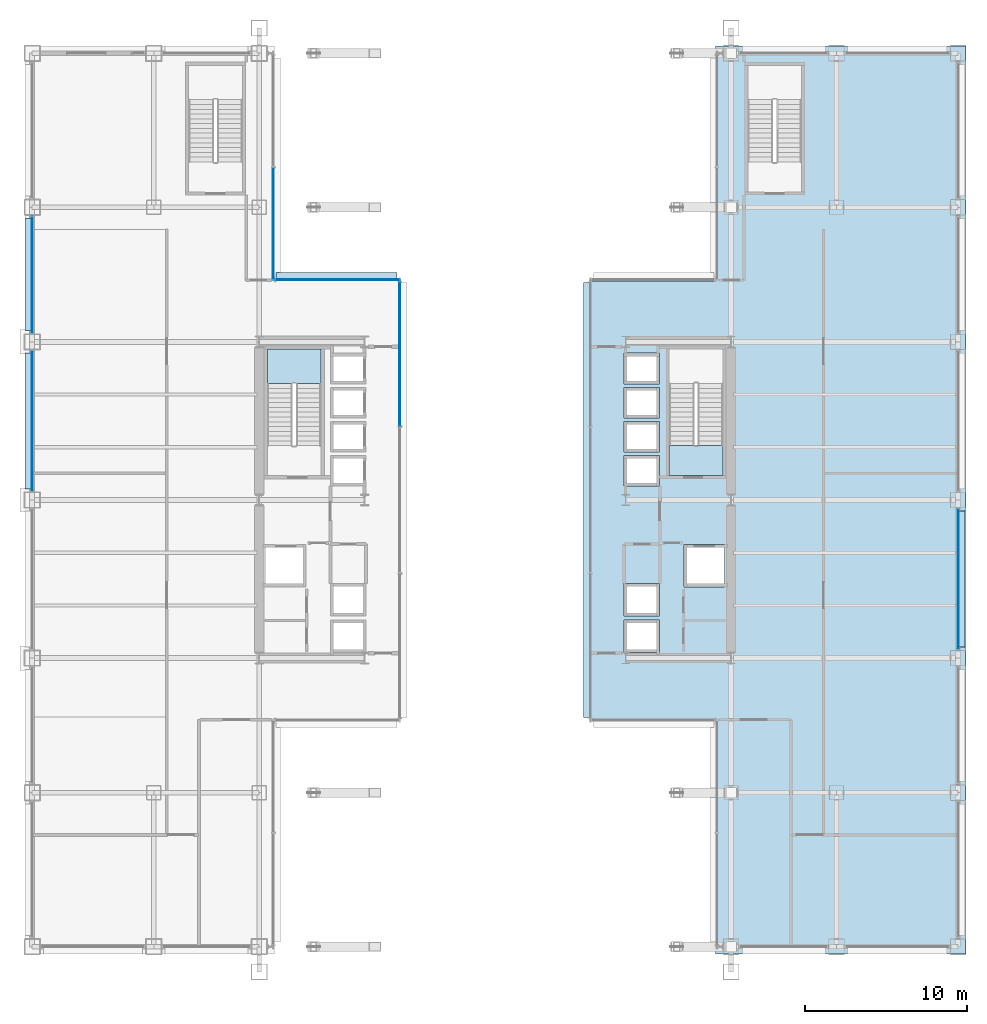
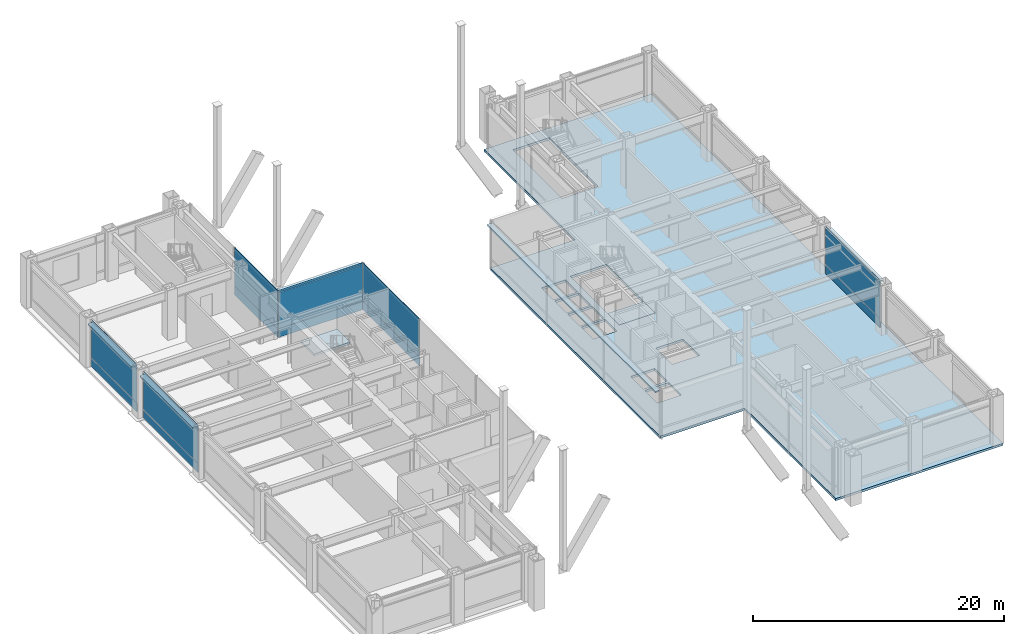
# One storey, part 30 of 40: 17 plates, 3 slabs, 7 elements without a shape of their own.
"""IFC4 building model written with IfcOpenShell, lengths in metres."""

import ifcopenshell
import ifcopenshell.guid

model = None  # the IFC model being written
_history = None  # IfcOwnerHistory: only IFC2X3 demands one
_inside = {}  # id of a spatial element -> (the spatial element, [elements in it])
_under = {}  # id of a project, library or spatial element -> (it, [spatial elements below it])
_declared = {}  # id of a project -> (the project, [libraries it declares])
_typed = {}  # id of a type object -> (the type object, [elements of that type])
_made_of = {}  # id of a material, layer set ... -> (it, [elements and type objects made of it])


def new_model(schema):
    """Start an empty IFC model of exactly this schema.

    Asked for "IFC4X3", IfcOpenShell would pick the latest addendum, in which some entities
    have other attributes; the version numbers below select the first issue.
    IFC2X3 requires an IfcOwnerHistory on every rooted entity: one is made here for all.
    """
    global model, _history
    if schema == "IFC4X3":
        model = ifcopenshell.file(schema_version=(4, 3, 0, 0))
    else:
        model = ifcopenshell.file(schema=schema)
    _inside.clear()
    _under.clear()
    _declared.clear()
    _typed.clear()
    _made_of.clear()
    _history = None
    if model.schema == "IFC2X3":
        org = make("IfcOrganization", Name="unknown")
        user = make(
            "IfcPersonAndOrganization",
            ThePerson=make("IfcPerson", FamilyName="unknown"),
            TheOrganization=org,
        )
        app = make(
            "IfcApplication",
            ApplicationDeveloper=org,
            Version="unknown",
            ApplicationFullName="unknown",
            ApplicationIdentifier="unknown",
        )
        _history = make(
            "IfcOwnerHistory",
            OwningUser=user,
            OwningApplication=app,
            ChangeAction="ADDED",
            CreationDate=0,
        )
    return model


def make(cls, **values):
    """One entity of the class cls with the attributes given. An attribute that is None is left unset."""
    return model.create_entity(
        cls, **{name: value for name, value in values.items() if value is not None}
    )


def rooted(cls, **values):
    """An entity with a GlobalId (a new one), such as an element, a storey or a relation."""
    return make(cls, GlobalId=ifcopenshell.guid.new(), OwnerHistory=_history, **values)


def si_unit(unit_type, name, prefix=None):
    """IfcSIUnit, for example si_unit("LENGTHUNIT", "METRE", prefix="MILLI")."""
    return make("IfcSIUnit", UnitType=unit_type, Prefix=prefix, Name=name)


def assignment(units):
    """IfcUnitAssignment: the units of a project."""
    return None if units is None else make("IfcUnitAssignment", Units=units)


def point(xyz):
    """IfcCartesianPoint."""
    return None if xyz is None else make("IfcCartesianPoint", Coordinates=xyz)


def direction(xyz):
    """IfcDirection."""
    return None if xyz is None else make("IfcDirection", DirectionRatios=xyz)


def frame(location, z_axis=None, x_axis=None):
    """IfcAxis2Placement3D, a coordinate frame: its origin and axes. An axis left out is left unset."""
    return make(
        "IfcAxis2Placement3D",
        Location=point(location),
        Axis=direction(z_axis),
        RefDirection=direction(x_axis),
    )


def frame_2d(location, x_axis=None):
    """IfcAxis2Placement2D, a coordinate frame in the plane: its origin and x axis."""
    return make(
        "IfcAxis2Placement2D", Location=point(location), RefDirection=direction(x_axis)
    )


def origin():
    """The frame at (0, 0, 0) with its axes left unset."""
    return frame((0.0, 0.0, 0.0))


def origin_2d():
    """The frame at (0, 0) in the plane with its x axis left unset."""
    return frame_2d((0.0, 0.0))


def place(relative_to, where):
    """IfcLocalPlacement: puts the frame where relative to a parent placement (None: the world)."""
    return make(
        "IfcLocalPlacement", PlacementRelTo=relative_to, RelativePlacement=where
    )


def context(
    kind, dimensions, precision=None, world=None, true_north=None, identifier=None
):
    """IfcGeometricRepresentationContext, for example the 3D "Model" context."""
    return make(
        "IfcGeometricRepresentationContext",
        ContextIdentifier=identifier,
        ContextType=kind,
        CoordinateSpaceDimension=dimensions,
        Precision=precision,
        WorldCoordinateSystem=world,
        TrueNorth=true_north,
    )


def subcontext(parent, identifier, kind, view, scale=None):
    """IfcGeometricRepresentationSubContext, for example "Body" below "Model"."""
    return make(
        "IfcGeometricRepresentationSubContext",
        ContextIdentifier=identifier,
        ContextType=kind,
        ParentContext=parent,
        TargetScale=scale,
        TargetView=view,
    )


def project(units=None, contexts=None):
    """IfcProject with its units and contexts."""
    return rooted(
        "IfcProject",
        Name="project",
        RepresentationContexts=contexts,
        UnitsInContext=assignment(units),
    )


def spatial(cls, under=None, at=None, **own):
    """A site, building, storey or space (cls), placed at a placement, below another one or the project."""
    s = rooted(cls, ObjectPlacement=at, **own)
    if under is not None:
        _under.setdefault(under.id(), (under, []))[1].append(s)
    return s


def polyline(points):
    """IfcPolyline through the points."""
    return make("IfcPolyline", Points=[point(p) for p in points])


def profile(cls, at=None, kind="AREA", **sizes):
    """A parametric profile (cls). Its sizes go by their IFC names, for example OverallWidth=200.0."""
    return make(cls, ProfileType=kind, Position=at, **sizes)


def rectangle(**sizes):
    """IfcRectangleProfileDef."""
    return profile("IfcRectangleProfileDef", **sizes)


def outline(outer, holes=None, kind="AREA"):
    """IfcArbitraryClosedProfileDef: a profile drawn as a closed curve; with holes, ...WithVoids."""
    if holes is None:
        return make("IfcArbitraryClosedProfileDef", ProfileType=kind, OuterCurve=outer)
    return make(
        "IfcArbitraryProfileDefWithVoids",
        ProfileType=kind,
        OuterCurve=outer,
        InnerCurves=holes,
    )


def extrude(swept, where, along, depth):
    """IfcExtrudedAreaSolid: the profile swept, set in the frame where, extruded along a direction by depth."""
    return make(
        "IfcExtrudedAreaSolid",
        SweptArea=swept,
        Position=where,
        ExtrudedDirection=direction(along),
        Depth=depth,
    )


def shape(context_of_items, identifier, shape_type, items):
    """IfcShapeRepresentation: the items that make up one representation, for example the "Body"."""
    return make(
        "IfcShapeRepresentation",
        ContextOfItems=context_of_items,
        RepresentationIdentifier=identifier,
        RepresentationType=shape_type,
        Items=items,
    )


def material(Name=None, Category=None):
    """IfcMaterial."""
    return make("IfcMaterial", Name=Name, Category=Category)


def layer(
    of_material, thickness, ventilated=None, Name=None, Category=None, Priority=None
):
    """IfcMaterialLayer: one layer of a wall or slab, of a material (None: an air gap)."""
    return make(
        "IfcMaterialLayer",
        Material=of_material,
        LayerThickness=thickness,
        IsVentilated=ventilated,
        Name=Name,
        Category=Category,
        Priority=Priority,
    )


def layer_set(layers, Name=None):
    """IfcMaterialLayerSet."""
    return make("IfcMaterialLayerSet", MaterialLayers=layers, LayerSetName=Name)


def made_of(thing, what):
    """Note that an element or type object is made of a material, layer set ...; save() writes the relation."""
    if what is not None:
        _made_of.setdefault(what.id(), (what, []))[1].append(thing)
    return thing


def type_object(cls, material=None, **own):
    """A type object (cls), such as IfcWallType, which elements share."""
    return made_of(rooted(cls, **own), material)


def element(
    cls,
    number,
    at=None,
    inside=None,
    cuts=None,
    type_object=None,
    material=None,
    context=None,
    identifier="Body",
    shape_type=None,
    held_by="IfcProductDefinitionShape",
    body=None,
    shapes=None,
    **own,
):
    """One element of the class cls, such as IfcWall. Its Tag is "e" and its number.

    at: its placement. inside: the storey or other place that contains it. cuts: it is an
    opening in that element (IfcRelVoidsElement). A single representation is given by context,
    identifier, shape_type and body (its items); several are given by shapes. held_by: the class
    of the entity that holds the representations. save() writes the other relations.
    """
    e = rooted(cls, Tag="e%d" % number, ObjectPlacement=at, **own)
    if body is not None:
        shapes = [shape(context, identifier, shape_type, body)]
    if shapes is not None:
        e.Representation = make(held_by, Representations=shapes)
    if inside is not None:
        _inside.setdefault(inside.id(), (inside, []))[1].append(e)
    if cuts is not None:
        rooted(
            "IfcRelVoidsElement", RelatingBuildingElement=cuts, RelatedOpeningElement=e
        )
    if type_object is not None:
        _typed.setdefault(type_object.id(), (type_object, []))[1].append(e)
    return made_of(e, material)


def aggregate(whole, parts):
    """IfcRelAggregates: a whole, such as a stair, and the parts it consists of."""
    return rooted("IfcRelAggregates", RelatingObject=whole, RelatedObjects=parts)


def save(model, path):
    """Write the relations noted so far, then the file.

    IfcRelAggregates (storeys below a building ...), IfcRelContainedInSpatialStructure (elements
    in a storey), IfcRelDefinesByType, IfcRelAssociatesMaterial and IfcRelDeclares: one each for
    every whole, place, type object, material and project.
    """
    for whole, parts in _under.values():
        aggregate(whole, parts)
    for where, things in _inside.values():
        rooted(
            "IfcRelContainedInSpatialStructure",
            RelatedElements=things,
            RelatingStructure=where,
        )
    for kind, things in _typed.values():
        rooted("IfcRelDefinesByType", RelatedObjects=things, RelatingType=kind)
    for what, things in _made_of.values():
        rooted("IfcRelAssociatesMaterial", RelatedObjects=things, RelatingMaterial=what)
    for by, libraries in _declared.values():
        rooted("IfcRelDeclares", RelatingContext=by, RelatedDefinitions=libraries)
    model.write(path)


model = new_model("IFC4")

# Units and contexts
model_context = context("Model", 3, precision=1e-05, world=origin(), true_north=direction((0.0, 1.0)))
body_context = subcontext(model_context, "Body", "Model", "MODEL_VIEW")
ifc_project = project(units=[si_unit("LENGTHUNIT", "METRE"), si_unit("AREAUNIT", "SQUARE_METRE"), si_unit("VOLUMEUNIT", "CUBIC_METRE"), si_unit("PLANEANGLEUNIT", "RADIAN"), si_unit("MASSUNIT", "GRAM", prefix="KILO")], contexts=[model_context])

# Site, building, storey
site_placement = place(None, origin())
site = spatial("IfcSite", under=ifc_project, at=site_placement, CompositionType="ELEMENT")
building_placement = place(site_placement, origin())
building = spatial("IfcBuilding", under=site, at=building_placement, Name="Brelmoor Portico Tower", CompositionType="ELEMENT")
storey_placement = place(building_placement, frame((0.0, 0.0, 4.800048828125)))
storey = spatial("IfcBuildingStorey", under=building, at=storey_placement, Name="L01", CompositionType="ELEMENT", Elevation=4.800048828125)

# Curtain wall, plate
ifc_material_1 = material(Name="Anodised Aluminium Alloy 6063-T6", Category="aluminium")
ifc_layer_1 = layer(ifc_material_1, 0.179931640625)
ifc_layer_set_1 = layer_set([ifc_layer_1], Name="Anodised Aluminium Alloy 6063-T6")
curtain_wall_type = type_object("IfcCurtainWallType", Name="CW-PODIUM-ARCH", PredefinedType="NOTDEFINED", material=ifc_layer_set_1)
curtain_wall_1_placement = place(storey_placement, origin())
curtain_wall_1 = element("IfcCurtainWall", 1, at=curtain_wall_1_placement, inside=storey, type_object=curtain_wall_type, Name="L01 Curtain Wall CW-L01-05-4", PredefinedType="NOTDEFINED")
ifc_material_2 = material(Name="Double-Silver Low-E Insulated Glazing", Category="glass")
ifc_layer_2 = layer(ifc_material_2, 0.035888671875)
ifc_layer_set_2 = layer_set([ifc_layer_2], Name="Double-Silver Low-E Insulated Glazing")
plate_type_1 = type_object("IfcPlateType", Name="PT-CW-GLASS", PredefinedType="CURTAIN_PANEL", material=ifc_layer_set_2)
plate_1_placement = place(storey_placement, frame((-28.550048828125, 4.875, 0.849853515625), z_axis=(0.0, 0.0, 1.0), x_axis=(0.0, 1.0, 0.0)))
plate_1 = element("IfcPlate", 2, at=plate_1_placement, type_object=plate_type_1, Name="CW-L01-05-4 Vision Glass Panel 00", PredefinedType="CURTAIN_PANEL", context=body_context, shape_type="SweptSolid", body=[
    extrude(rectangle(XDim=8.699951171875, YDim=0.035888671875, at=origin_2d()), origin(), (0.0, 0.0, 1.0), 3.72998046875),
])

curtain_wall_2_placement = place(storey_placement, origin())
curtain_wall_2 = element("IfcCurtainWall", 3, at=curtain_wall_2_placement, inside=storey, type_object=curtain_wall_type, Name="L01 Curtain Wall CW-L01-05-5", PredefinedType="NOTDEFINED")
plate_2_placement = place(storey_placement, frame((-28.550048828125, 13.89990234375, 0.849853515625), z_axis=(0.0, 0.0, 1.0), x_axis=(0.0, 1.0, 0.0)))
plate_2 = element("IfcPlate", 4, at=plate_2_placement, type_object=plate_type_1, Name="CW-L01-05-5 Vision Glass Panel 00", PredefinedType="CURTAIN_PANEL", context=body_context, shape_type="SweptSolid", body=[
    extrude(rectangle(XDim=7.25, YDim=0.035888671875, at=origin_2d()), origin(), (0.0, 0.0, 1.0), 3.72998046875),
])

curtain_wall_3_placement = place(storey_placement, origin())
curtain_wall_3 = element("IfcCurtainWall", 5, at=curtain_wall_3_placement, inside=storey, type_object=curtain_wall_type, Name="L01 Curtain Wall CW-L01-06-3", PredefinedType="NOTDEFINED")
plate_3_placement = place(storey_placement, frame((28.550048828125, -4.875, 0.849853515625), z_axis=(0.0, 0.0, 1.0), x_axis=(0.0, 1.0, 0.0)))
plate_3 = element("IfcPlate", 6, at=plate_3_placement, type_object=plate_type_1, Name="CW-L01-06-3 Vision Glass Panel 00", PredefinedType="CURTAIN_PANEL", context=body_context, shape_type="SweptSolid", body=[
    extrude(rectangle(XDim=8.699951171875, YDim=0.035888671875, at=origin_2d()), origin(), (0.0, 0.0, 1.0), 3.72998046875),
])

curtain_wall_4_placement = place(storey_placement, origin())
curtain_wall_4 = element("IfcCurtainWall", 7, at=curtain_wall_4_placement, inside=storey, type_object=curtain_wall_type, Name="L01 Curtain Wall CW-L01-09", PredefinedType="NOTDEFINED")
plate_4_placement = place(storey_placement, frame((-13.679931640625, 17.047607421875, 0.849853515625), z_axis=(0.0, 0.0, 1.0), x_axis=(0.0, 1.0, 0.0)))
plate_4 = element("IfcPlate", 8, at=plate_4_placement, type_object=plate_type_1, Name="CW-L01-09 Vision Glass Panel 00", PredefinedType="CURTAIN_PANEL", context=body_context, shape_type="SweptSolid", body=[
    extrude(rectangle(XDim=6.905029296875, YDim=0.035888671875, at=origin_2d()), origin(), (0.0, 0.0, 1.0), 3.72998046875),
])

curtain_wall_5_placement = place(storey_placement, origin())
curtain_wall_5 = element("IfcCurtainWall", 9, at=curtain_wall_5_placement, inside=storey, type_object=curtain_wall_type, Name="L01 Curtain Wall CW-L01-13", PredefinedType="NOTDEFINED")
plate_5_placement = place(storey_placement, frame((-9.780029296875, 13.580078125, 0.849853515625), z_axis=(0.0, 0.0, 1.0), x_axis=(1.0, 0.0, 0.0)))
plate_5 = element("IfcPlate", 10, at=plate_5_placement, type_object=plate_type_1, Name="CW-L01-13 Vision Glass Panel 00", PredefinedType="CURTAIN_PANEL", context=body_context, shape_type="SweptSolid", body=[
    extrude(rectangle(XDim=7.77001953125, YDim=0.035888671875, at=origin_2d()), origin(), (0.0, 0.0, 1.0), 3.72998046875),
])

curtain_wall_6_placement = place(storey_placement, origin())
curtain_wall_6 = element("IfcCurtainWall", 11, at=curtain_wall_6_placement, inside=storey, type_object=curtain_wall_type, Name="L01 Curtain Wall CW-L01-15", PredefinedType="NOTDEFINED")
plate_6_placement = place(storey_placement, frame((-5.8798828125, 9.05322265625, 0.849853515625), z_axis=(0.0, 0.0, 1.0), x_axis=(0.0, 1.0, 0.0)))
plate_6 = element("IfcPlate", 12, at=plate_6_placement, type_object=plate_type_1, Name="CW-L01-15 Vision Glass Panel 02", PredefinedType="CURTAIN_PANEL", context=body_context, shape_type="SweptSolid", body=[
    extrude(rectangle(XDim=9.023193359375, YDim=0.035888671875, at=origin_2d()), origin(), (0.0, 0.0, 1.0), 3.72998046875),
])

# Plate
ifc_material_3 = material(Name="Pale Champagne Anodised Aluminium Panel", Category="aluminium")
ifc_layer_3 = layer(ifc_material_3, 0.050048828125)
ifc_layer_set_3 = layer_set([ifc_layer_3], Name="Pale Champagne Anodised Aluminium Panel")
plate_type_2 = type_object("IfcPlateType", Name="PT-CW-SPANDREL", PredefinedType="SHEET", material=ifc_layer_set_3)
plate_7_placement = place(storey_placement, frame((-28.550048828125, 4.875, 0.0), z_axis=(0.0, 0.0, 1.0), x_axis=(0.0, 1.0, 0.0)))
plate_7 = element("IfcPlate", 13, at=plate_7_placement, type_object=plate_type_2, Name="CW-L01-05-4 Spandrel Panel 00", PredefinedType="SHEET", context=body_context, shape_type="SweptSolid", body=[
    extrude(rectangle(XDim=8.699951171875, YDim=0.050048828125, at=origin_2d()), origin(), (0.0, 0.0, 1.0), 0.85009765625),
])

aggregate(curtain_wall_1, [plate_7, plate_1])

plate_8_placement = place(storey_placement, frame((-28.550048828125, 13.89990234375, 0.0), z_axis=(0.0, 0.0, 1.0), x_axis=(0.0, 1.0, 0.0)))
plate_8 = element("IfcPlate", 14, at=plate_8_placement, type_object=plate_type_2, Name="CW-L01-05-5 Spandrel Panel 00", PredefinedType="SHEET", context=body_context, shape_type="SweptSolid", body=[
    extrude(rectangle(XDim=7.25, YDim=0.050048828125, at=origin_2d()), origin(), (0.0, 0.0, 1.0), 0.85009765625),
])

aggregate(curtain_wall_2, [plate_8, plate_2])

plate_9_placement = place(storey_placement, frame((28.550048828125, -4.875, 0.0), z_axis=(0.0, 0.0, 1.0), x_axis=(0.0, 1.0, 0.0)))
plate_9 = element("IfcPlate", 15, at=plate_9_placement, type_object=plate_type_2, Name="CW-L01-06-3 Spandrel Panel 00", PredefinedType="SHEET", context=body_context, shape_type="SweptSolid", body=[
    extrude(rectangle(XDim=8.699951171875, YDim=0.050048828125, at=origin_2d()), origin(), (0.0, 0.0, 1.0), 0.85009765625),
])

aggregate(curtain_wall_3, [plate_9, plate_3])

plate_10_placement = place(storey_placement, frame((-13.679931640625, 17.047607421875, 0.0), z_axis=(0.0, 0.0, 1.0), x_axis=(0.0, 1.0, 0.0)))
plate_10 = element("IfcPlate", 16, at=plate_10_placement, type_object=plate_type_2, Name="CW-L01-09 Spandrel Panel 00", PredefinedType="SHEET", context=body_context, shape_type="SweptSolid", body=[
    extrude(rectangle(XDim=6.905029296875, YDim=0.050048828125, at=origin_2d()), origin(), (0.0, 0.0, 1.0), 0.85009765625),
])

aggregate(curtain_wall_4, [plate_10, plate_4])

plate_11_placement = place(storey_placement, frame((-9.780029296875, 13.580078125, 0.0), z_axis=(0.0, 0.0, 1.0), x_axis=(1.0, 0.0, 0.0)))
plate_11 = element("IfcPlate", 17, at=plate_11_placement, type_object=plate_type_2, Name="CW-L01-13 Spandrel Panel 00", PredefinedType="SHEET", context=body_context, shape_type="SweptSolid", body=[
    extrude(rectangle(XDim=7.77001953125, YDim=0.050048828125, at=origin_2d()), origin(), (0.0, 0.0, 1.0), 0.85009765625),
])

aggregate(curtain_wall_5, [plate_11, plate_5])

plate_12_placement = place(storey_placement, frame((-5.8798828125, 9.05322265625, 0.0), z_axis=(0.0, 0.0, 1.0), x_axis=(0.0, 1.0, 0.0)))
plate_12 = element("IfcPlate", 18, at=plate_12_placement, type_object=plate_type_2, Name="CW-L01-15 Spandrel Panel 02", PredefinedType="SHEET", context=body_context, shape_type="SweptSolid", body=[
    extrude(rectangle(XDim=9.023193359375, YDim=0.050048828125, at=origin_2d()), origin(), (0.0, 0.0, 1.0), 0.85009765625),
])

aggregate(curtain_wall_6, [plate_12, plate_6])

# Plates
ifc_material_4 = material(Name="Pale Champagne Perforated Aluminium Solar Screen", Category="aluminium")
ifc_layer_4 = layer(ifc_material_4, 0.054931640625)
ifc_layer_set_4 = layer_set([ifc_layer_4], Name="Pale Champagne Perforated Aluminium Solar Screen")
plate_type_3 = type_object("IfcPlateType", Name="PT-SOLAR-LOUVRE", PredefinedType="SHEET", material=ifc_layer_set_4)
plate_13_placement = place(storey_placement, frame((-28.760009765625, 4.875, 4.27001953125), z_axis=(0.0, 0.0, 1.0), x_axis=(0.0, 1.0, 0.0)))
element("IfcPlate", 19, at=plate_13_placement, inside=storey, type_object=plate_type_3, Name="CW-L01-05-4 Caribbean Brise-Soleil Solar Screen", PredefinedType="SHEET", context=body_context, shape_type="SweptSolid", body=[
    extrude(rectangle(XDim=8.3701171875, YDim=0.4599609375, at=origin_2d()), origin(), (0.0, 0.0, 1.0), 0.139892578125),
])
plate_14_placement = place(storey_placement, frame((-28.760009765625, 13.89990234375, 4.27001953125), z_axis=(0.0, 0.0, 1.0), x_axis=(0.0, 1.0, 0.0)))
element("IfcPlate", 20, at=plate_14_placement, inside=storey, type_object=plate_type_3, Name="CW-L01-05-5 Caribbean Brise-Soleil Solar Screen", PredefinedType="SHEET", context=body_context, shape_type="SweptSolid", body=[
    extrude(rectangle(XDim=6.919921875, YDim=0.4599609375, at=origin_2d()), origin(), (0.0, 0.0, 1.0), 0.139892578125),
])
plate_15_placement = place(storey_placement, frame((28.760009765625, -4.875, 4.27001953125), z_axis=(0.0, 0.0, 1.0), x_axis=(0.0, 1.0, 0.0)))
element("IfcPlate", 21, at=plate_15_placement, inside=storey, type_object=plate_type_3, Name="CW-L01-06-3 Caribbean Brise-Soleil Solar Screen", PredefinedType="SHEET", context=body_context, shape_type="SweptSolid", body=[
    extrude(rectangle(XDim=8.3701171875, YDim=0.4599609375, at=origin_2d()), origin(), (0.0, 0.0, 1.0), 0.139892578125),
])
plate_16_placement = place(storey_placement, frame((-9.780029296875, 13.7900390625, 4.27001953125), z_axis=(0.0, 0.0, 1.0), x_axis=(1.0, 0.0, 0.0)))
element("IfcPlate", 22, at=plate_16_placement, inside=storey, type_object=plate_type_3, Name="CW-L01-13 Caribbean Brise-Soleil Solar Screen", PredefinedType="SHEET", context=body_context, shape_type="SweptSolid", body=[
    extrude(rectangle(XDim=7.43994140625, YDim=0.4599609375, at=origin_2d()), origin(), (0.0, 0.0, 1.0), 0.139892578125),
])
plate_17_placement = place(storey_placement, frame((5.669921875, 0.0, 4.27001953125), z_axis=(0.0, 0.0, 1.0), x_axis=(0.0, 1.0, 0.0)))
element("IfcPlate", 23, at=plate_17_placement, inside=storey, type_object=plate_type_3, Name="CW-L01-16 Caribbean Brise-Soleil Solar Screen", PredefinedType="SHEET", context=body_context, shape_type="SweptSolid", body=[
    extrude(rectangle(XDim=26.800048828125, YDim=0.4599609375, at=origin_2d()), origin(), (0.0, 0.0, 1.0), 0.139892578125),
])

# Slab
ifc_material_5 = material(Name="Concrete C40", Category="concrete")
ifc_layer_5 = layer(ifc_material_5, 0.219970703125)
ifc_layer_set_5 = layer_set([ifc_layer_5], Name="Concrete C40")
slab_type_1 = type_object("IfcSlabType", Name="SL-FLOOR-220", PredefinedType="FLOOR", material=ifc_layer_set_5)
slab_1_placement = place(storey_placement, frame((0.0, 0.0, -0.219970703125)))
element("IfcSlab", 24, at=slab_1_placement, inside=storey, type_object=slab_type_1, Name="L01 East Pier Floor Slab", PredefinedType="FLOOR", context=body_context, shape_type="SweptSolid", body=[
    extrude(outline(polyline([(13.60009765625, -28.0), (29.0, -28.0), (29.0, 28.0), (13.60009765625, 28.0), (13.60009765625, 13.5), (5.800048828125, 13.5), (5.800048828125, -13.5), (13.60009765625, -13.5), (13.60009765625, -28.0)]), holes=[polyline([(14.050048828125, 1.5), (14.050048828125, 9.300048828125), (10.72998046875, 9.300048828125), (10.72998046875, 1.5), (14.050048828125, 1.5)]), polyline([(18.89990234375, 19.0), (18.89990234375, 26.800048828125), (15.580078125, 26.800048828125), (15.580078125, 19.0), (18.89990234375, 19.0)]), polyline([(7.949951171875, 0.85009765625), (10.14990234375, 0.85009765625), (10.14990234375, 2.75), (7.949951171875, 2.75), (7.949951171875, 0.85009765625)]), polyline([(7.949951171875, 2.949951171875), (10.14990234375, 2.949951171875), (10.14990234375, 4.85009765625), (7.949951171875, 4.85009765625), (7.949951171875, 2.949951171875)]), polyline([(7.949951171875, 5.050048828125), (10.14990234375, 5.050048828125), (10.14990234375, 6.949951171875), (7.949951171875, 6.949951171875), (7.949951171875, 5.050048828125)]), polyline([(7.949951171875, 7.14990234375), (10.14990234375, 7.14990234375), (10.14990234375, 9.050048828125), (7.949951171875, 9.050048828125), (7.949951171875, 7.14990234375)]), polyline([(7.949951171875, -9.39990234375), (10.14990234375, -9.39990234375), (10.14990234375, -7.39990234375), (7.949951171875, -7.39990234375), (7.949951171875, -9.39990234375)]), polyline([(7.949951171875, -7.14990234375), (10.14990234375, -7.14990234375), (10.14990234375, -5.14990234375), (7.949951171875, -5.14990234375), (7.949951171875, -7.14990234375)]), polyline([(11.64990234375, -5.35009765625), (14.14990234375, -5.35009765625), (14.14990234375, -2.75), (11.64990234375, -2.75), (11.64990234375, -5.35009765625)])]), origin(), (0.0, 0.0, 1.0), 0.219970703125),
])

# Stair, slab
stair_type = type_object("IfcStairType", Name="ST-CORE-W", PredefinedType="HALF_TURN_STAIR", material=ifc_material_5)
stair_placement = place(storey_placement, origin())
stair = element("IfcStair", 25, at=stair_placement, inside=storey, type_object=stair_type, Name="L01 Protected Core Exit Stair ST-W", PredefinedType="HALF_TURN_STAIR")
ifc_layer_6 = layer(ifc_material_5, 0.179931640625)
ifc_layer_set_6 = layer_set([ifc_layer_6], Name="Concrete C40")
slab_type_2 = type_object("IfcSlabType", Name="SL-LANDING-180", PredefinedType="LANDING", material=ifc_layer_set_6)
slab_2_placement = place(storey_placement, frame((0.0, 0.0, 2.199951171875)))
slab_2 = element("IfcSlab", 26, at=slab_2_placement, type_object=slab_type_2, Name="ST-W landing 1", PredefinedType="LANDING", context=body_context, shape_type="SweptSolid", body=[
    extrude(outline(polyline([(-10.72998046875, 7.18505859375), (-10.72998046875, 9.300048828125), (-14.050048828125, 9.300048828125), (-14.050048828125, 7.18505859375), (-10.72998046875, 7.18505859375)])), origin(), (0.0, 0.0, 1.0), 0.199951171875),
])
aggregate(stair, [slab_2])

# Slab
ifc_layer_7 = layer(ifc_material_5, 0.219970703125)
ifc_layer_set_7 = layer_set([ifc_layer_7], Name="Concrete C40")
slab_type_3 = type_object("IfcSlabType", Name="SL-STAIR-FL220", PredefinedType="LANDING", material=ifc_layer_set_7)
slab_3_placement = place(storey_placement, frame((0.0, 0.0, -0.219970703125)))
element("IfcSlab", 27, at=slab_3_placement, inside=storey, type_object=slab_type_3, Name="L01 ST-E Structural Floor Landing Slab", PredefinedType="LANDING", context=body_context, shape_type="SweptSolid", body=[
    extrude(outline(polyline([(14.050048828125, 1.5), (14.050048828125, 3.35009765625), (10.72998046875, 3.35009765625), (10.72998046875, 1.5), (14.050048828125, 1.5)])), origin(), (0.0, 0.0, 1.0), 0.219970703125),
])

save(model, "model.ifc")
